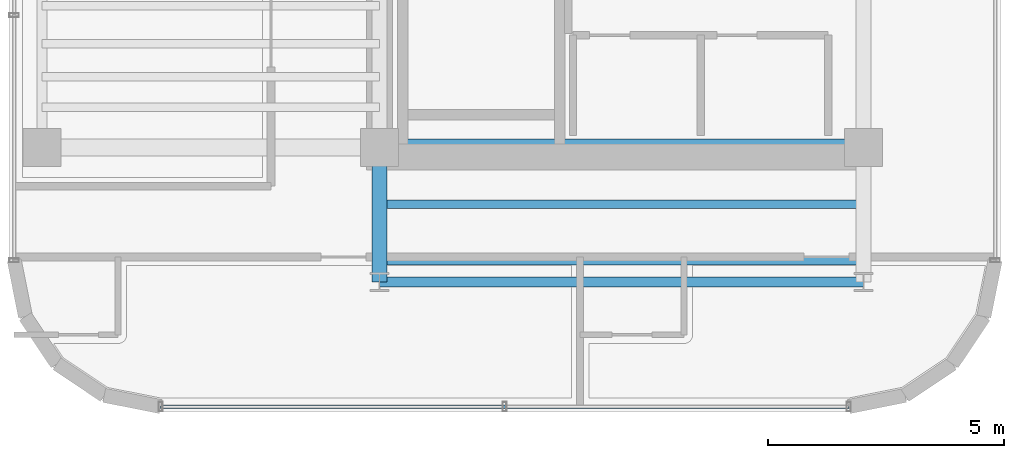
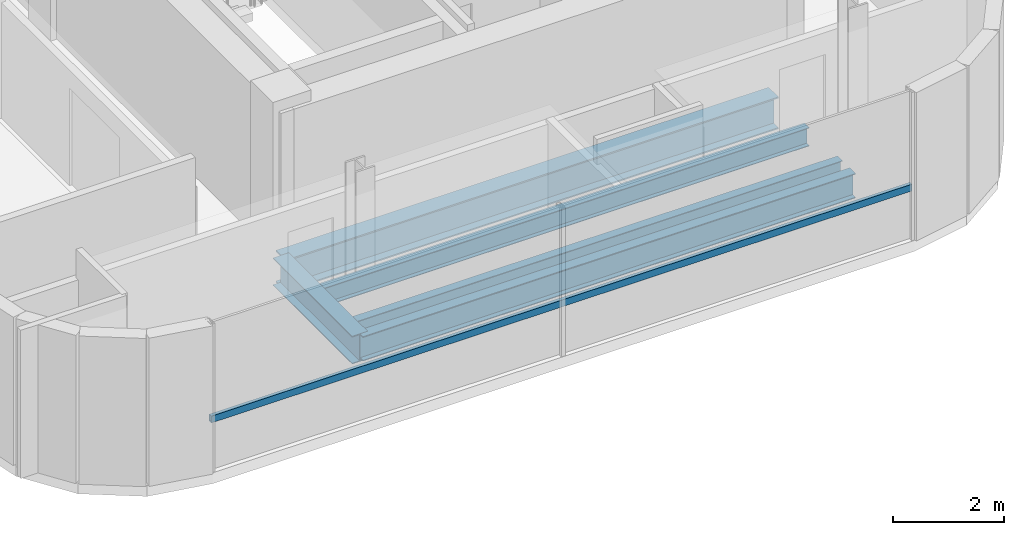
# One storey, part 3 of 20: 5 beams, 1 member, 1 element without a shape of its own.
"""IFC4 building model written with IfcOpenShell, lengths in metres."""

from ifc_helpers import new_model, si_unit, direction, frame, origin, origin_2d, place, context, subcontext, project, spatial, hollow_rectangle, i_section, extrude, source, transform, mapped, material, material_profile, profile_set, type_object, element, aggregate, save


model = new_model("IFC4")

# Units and contexts
model_context = context("Model", 3, precision=1e-05, world=origin(), true_north=direction((0.0, 1.0)))
body_context = subcontext(model_context, "Body", "Model", "MODEL_VIEW")
ifc_project = project(units=[si_unit("LENGTHUNIT", "METRE"), si_unit("AREAUNIT", "SQUARE_METRE"), si_unit("VOLUMEUNIT", "CUBIC_METRE"), si_unit("PLANEANGLEUNIT", "RADIAN"), si_unit("MASSUNIT", "GRAM", prefix="KILO")], contexts=[model_context])

# Site, building, storey
site_placement = place(None, origin())
site = spatial("IfcSite", under=ifc_project, at=site_placement, CompositionType="ELEMENT")
building_placement = place(site_placement, origin())
building = spatial("IfcBuilding", under=site, at=building_placement, Name="Valdorenza Pilgrim Sanctuary Tower", CompositionType="ELEMENT")
storey_placement = place(building_placement, frame((0.0, 0.0, 244.0)))
storey = spatial("IfcBuildingStorey", under=building, at=storey_placement, Name="L63", CompositionType="ELEMENT", Elevation=244.0)

# Beams
ifc_material_1 = material(Name="Steel ASTM A992 Grade 50", Category="steel")
ifc_material_profile_1 = material_profile(ifc_material_1, i_section(OverallWidth=0.323974609375, OverallDepth=0.611083984375, WebThickness=0.0126953125, FlangeThickness=0.01904296875, at=origin_2d()), Name="W24X104")
ifc_profile_set_1 = profile_set([ifc_material_profile_1], Name="Steel ASTM A992 Grade 50")
beam_type_1 = type_object("IfcBeamType", Name="STR-BM-GRD-W24B", PredefinedType="BEAM", material=ifc_profile_set_1)
shared_shape_1 = source(origin(), body_context, "Body", "SweptSolid", [
    extrude(i_section(OverallWidth=0.323974609375, OverallDepth=0.611083984375, WebThickness=0.0126953125, FlangeThickness=0.01904296875, at=origin_2d()), origin(), (0.0, 0.0, 1.0), 2.849853515625),
])
beam_1_placement = place(storey_placement, frame((-22.64990234375, -13.449951171875, -0.54541015625), z_axis=(0.0, 1.0, 0.0), x_axis=(-1.0, 0.0, 0.0)))
element("IfcBeam", 1, at=beam_1_placement, inside=storey, type_object=beam_type_1, Name="L63 Floor Girder WA-S-LW", PredefinedType="BEAM", context=body_context, shape_type="MappedRepresentation", body=[
    mapped(shared_shape_1, transform((0.0, 0.0, 0.0), x_axis=(1.0, 0.0, 0.0), y_axis=(0.0, 1.0, 0.0), z_axis=(0.0, 0.0, 1.0), scale=1.0)),
])
ifc_material_profile_2 = material_profile(ifc_material_1, i_section(OverallWidth=0.2109375, OverallDepth=0.5390625, WebThickness=0.01171875, FlangeThickness=0.018798828125, at=origin_2d()), Name="W21X73")
ifc_profile_set_2 = profile_set([ifc_material_profile_2], Name="Steel ASTM A992 Grade 50")
beam_type_2 = type_object("IfcBeamType", Name="STR-BM-SPN-W21B", PredefinedType="SPANDREL", material=ifc_profile_set_2)
shared_shape_2 = source(origin(), body_context, "Body", "SweptSolid", [
    extrude(i_section(OverallWidth=0.2109375, OverallDepth=0.5390625, WebThickness=0.01171875, FlangeThickness=0.018798828125, at=origin_2d()), origin(), (0.0, 0.0, 1.0), 10.25),
])
beam_2_placement = place(storey_placement, frame((-22.64990234375, -13.449951171875, -0.509521484375), z_axis=(1.0, 0.0, 0.0), x_axis=(0.0, 1.0, 0.0)))
element("IfcBeam", 2, at=beam_2_placement, inside=storey, type_object=beam_type_2, Name="L63 South Spandrel WA-S-TIE", PredefinedType="SPANDREL", context=body_context, shape_type="MappedRepresentation", body=[
    mapped(shared_shape_2, transform((0.0, 0.0, 0.0), x_axis=(1.0, 0.0, 0.0), y_axis=(0.0, 1.0, 0.0), z_axis=(0.0, 0.0, 1.0), scale=1.0)),
])
ifc_material_profile_3 = material_profile(ifc_material_1, i_section(OverallWidth=0.35595703125, OverallDepth=0.700927734375, WebThickness=0.016845703125, FlangeThickness=0.02734375, at=origin_2d()), Name="W27X161")
ifc_profile_set_3 = profile_set([ifc_material_profile_3], Name="Steel ASTM A992 Grade 50")
beam_type_3 = type_object("IfcBeamType", Name="STR-BM-GRD-W27", PredefinedType="BEAM", material=ifc_profile_set_3)
shared_shape_3 = source(origin(), body_context, "Body", "SweptSolid", [
    extrude(i_section(OverallWidth=0.35595703125, OverallDepth=0.700927734375, WebThickness=0.016845703125, FlangeThickness=0.02734375, at=origin_2d()), origin(), (0.0, 0.0, 1.0), 10.25),
])
beam_3_placement = place(storey_placement, frame((-22.64990234375, -10.60009765625, -0.590576171875), z_axis=(1.0, 0.0, 0.0), x_axis=(0.0, 1.0, 0.0)))
element("IfcBeam", 3, at=beam_3_placement, inside=storey, type_object=beam_type_3, Name="L63 Floor Girder CA-XC-S1", PredefinedType="BEAM", context=body_context, shape_type="MappedRepresentation", body=[
    mapped(shared_shape_3, transform((0.0, 0.0, 0.0), x_axis=(1.0, 0.0, 0.0), y_axis=(0.0, 1.0, 0.0), z_axis=(0.0, 0.0, 1.0), scale=1.0)),
])
ifc_material_profile_4 = material_profile(ifc_material_1, i_section(OverallWidth=0.177978515625, OverallDepth=0.406005859375, WebThickness=0.0078125, FlangeThickness=0.0126953125, at=origin_2d()), Name="W16X40")
ifc_profile_set_4 = profile_set([ifc_material_profile_4], Name="Steel ASTM A992 Grade 50")
beam_type_4 = type_object("IfcBeamType", Name="STR-BM-JST-W16", PredefinedType="JOIST", material=ifc_profile_set_4)
shared_shape_4 = source(origin(), body_context, "Body", "SweptSolid", [
    extrude(i_section(OverallWidth=0.177978515625, OverallDepth=0.406005859375, WebThickness=0.0078125, FlangeThickness=0.0126953125, at=origin_2d()), origin(), (0.0, 0.0, 1.0), 10.25),
])
for number, where, z_axis, x_axis, name in (
    (4, (-22.64990234375, -13.0, -0.443115234375), (1.0, 0.0, 0.0), (0.0, 1.0, 0.0), "L63 Composite Floor Joist JST-WAS-1"),
    (5, (-22.64990234375, -11.800048828125, -0.443115234375), (1.0, 0.0, 0.0), (0.0, 1.0, 0.0), "L63 Composite Floor Joist JST-WAS-2"),
):
    element("IfcBeam", number, at=place(storey_placement, frame(where, z_axis=z_axis, x_axis=x_axis)), inside=storey, type_object=beam_type_4, Name=name, PredefinedType="JOIST", context=body_context, shape_type="MappedRepresentation", body=[
        mapped(shared_shape_4, transform((0.0, 0.0, 0.0), x_axis=(1.0, 0.0, 0.0), y_axis=(0.0, 1.0, 0.0), z_axis=(0.0, 0.0, 1.0), scale=1.0)),
    ])

# Curtain wall, member
ifc_material_2 = material(Name="Curtain-wall IGU glazing", Category="glass")
curtain_wall_type = type_object("IfcCurtainWallType", Name="CW-SYS-02", PredefinedType="NOTDEFINED", material=ifc_material_2)
curtain_wall_placement = place(storey_placement, origin())
curtain_wall = element("IfcCurtainWall", 6, at=curtain_wall_placement, inside=storey, type_object=curtain_wall_type, Name="L63 Curtain Wall CW-L63-1-26", PredefinedType="NOTDEFINED")
ifc_material_3 = material(Name="Anodised aluminium AW-6060", Category="aluminium")
ifc_material_profile_5 = material_profile(ifc_material_3, hollow_rectangle(XDim=0.074951171875, YDim=0.14990234375, WallThickness=0.00390625, at=origin_2d()), Name="ALU-T 150x75x4")
ifc_profile_set_5 = profile_set([ifc_material_profile_5], Name="Anodised aluminium AW-6060")
member_type = type_object("IfcMemberType", Name="CW-TRN-02", PredefinedType="USERDEFINED", material=ifc_profile_set_5)
shared_shape_5 = source(origin(), body_context, "Body", "SweptSolid", [
    extrude(hollow_rectangle(XDim=0.074951171875, YDim=0.14990234375, WallThickness=0.00390625, at=origin_2d()), origin(), (0.0, 0.0, 1.0), 14.57861328125),
])
member_placement = place(storey_placement, frame((-12.710693359375, -16.090087890625, 1.1201171875), z_axis=(-1.0, 0.0, 0.0), x_axis=(0.0, -1.0, 0.0)))
member = element("IfcMember", 7, at=member_placement, type_object=member_type, Name="CW-L63-1-26 Transom 1", ObjectType="TRANSOM", PredefinedType="USERDEFINED", context=body_context, shape_type="MappedRepresentation", body=[
    mapped(shared_shape_5, transform((0.0, 0.0, 0.0), x_axis=(1.0, 0.0, 0.0), y_axis=(0.0, 1.0, 0.0), z_axis=(0.0, 0.0, 1.0), scale=1.0)),
])
aggregate(curtain_wall, [member])

save(model, "model.ifc")
